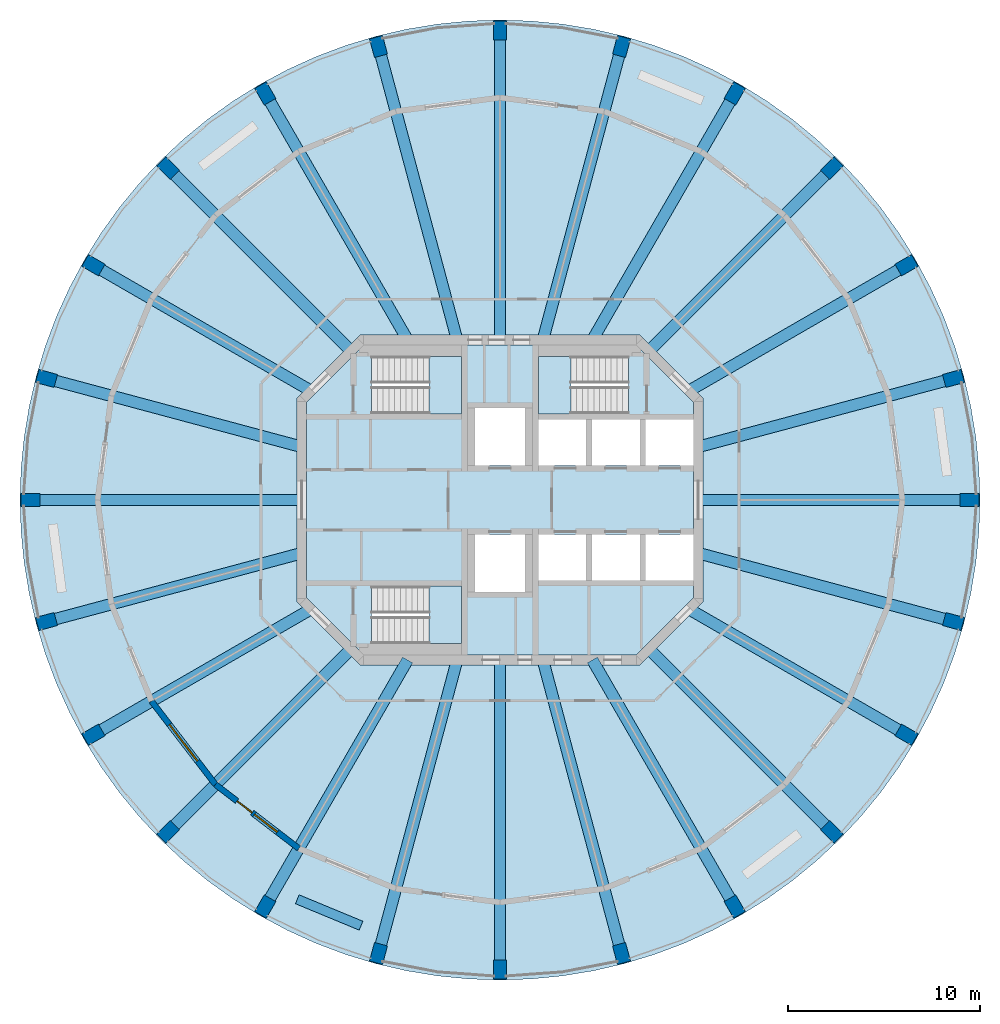
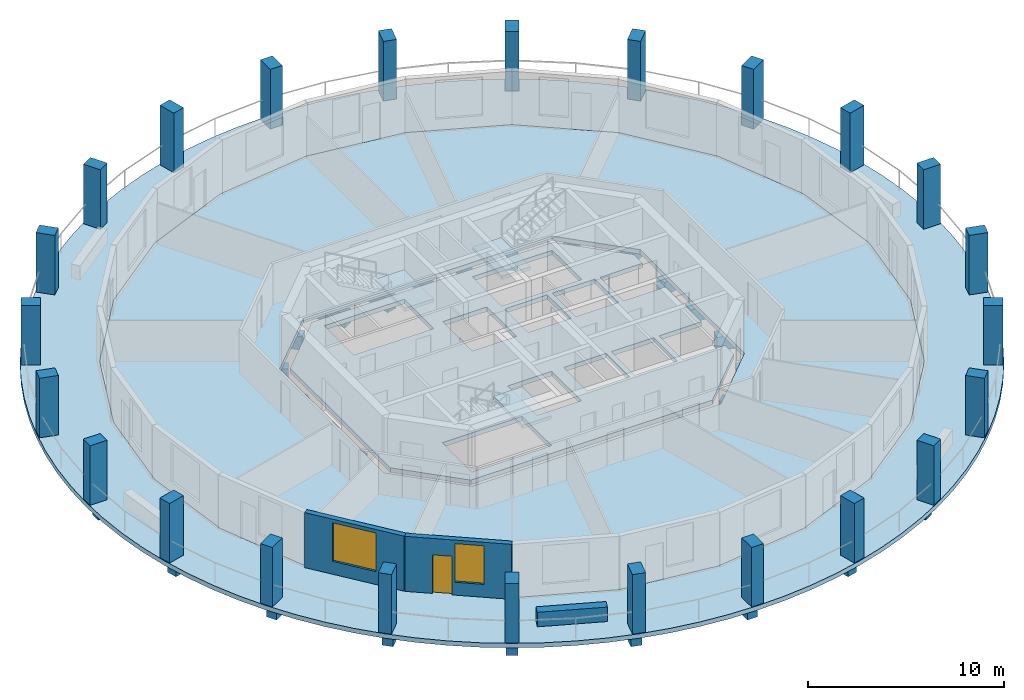
# One storey, part 1 of 8: 24 beams, 24 columns, 6 slabs, 3 walls, 2 windows, 1 door, 3 openings, 3 elements without a shape of their own.
"""IFC4 building model written with IfcOpenShell, lengths in metres."""

from ifc_helpers import new_model, si_unit, direction, frame, frame_2d, origin, origin_2d, place, context, subcontext, project, spatial, polyline, rectangle, outline, extrude, material, layer, layer_set, material_profile, profile_set, type_object, element, fill, aggregate, save


model = new_model("IFC4")

# Units and contexts
model_context = context("Model", 3, precision=1e-05, world=origin(), true_north=direction((0.0, 1.0)))
body_context = subcontext(model_context, "Body", "Model", "MODEL_VIEW")
ifc_project = project(units=[si_unit("LENGTHUNIT", "METRE"), si_unit("AREAUNIT", "SQUARE_METRE"), si_unit("VOLUMEUNIT", "CUBIC_METRE"), si_unit("PLANEANGLEUNIT", "RADIAN"), si_unit("MASSUNIT", "GRAM", prefix="KILO")], contexts=[model_context])

# Site, building, storey
site_placement = place(None, origin())
site = spatial("IfcSite", under=ifc_project, at=site_placement, CompositionType="ELEMENT")
building_placement = place(site_placement, origin())
building = spatial("IfcBuilding", under=site, at=building_placement, Name="Torre Triforio", CompositionType="ELEMENT")
storey_placement = place(building_placement, frame((0.0, 0.0, 253.800048828125)))
storey = spatial("IfcBuildingStorey", under=building, at=storey_placement, Name="L58", CompositionType="ELEMENT", Elevation=253.800048828125)

# Columns
ifc_material_1 = material(Name="Concrete C40", Category="concrete")
ifc_material_profile_1 = material_profile(ifc_material_1, rectangle(XDim=0.699951171875, YDim=1.0, at=origin_2d()), Name="RC 700x1000")
ifc_profile_set_1 = profile_set([ifc_material_profile_1], Name="Concrete C40")
column_type = type_object("IfcColumnType", Name="Pier RC 700x1000 C40", PredefinedType="COLUMN", material=ifc_profile_set_1)
for number, where, z_axis, x_axis, name in (
    (1, (24.5, 0.0, 0.0), (0.0, 0.0, 1.0), (0.0, 1.0, 0.0), "COL.R.L58.00"),
    (2, (23.665283203125, 6.341064453125, 0.0), (0.0, 0.0, 1.0), (-0.258819045103, 0.965925826289, 0.0), "COL.R.L58.01"),
    (3, (21.217529296875, 12.25, 0.0), (0.0, 0.0, 1.0), (-0.5, 0.866025403784, 0.0), "COL.R.L58.02"),
    (4, (17.32421875, 17.32421875, 0.0), (0.0, 0.0, 1.0), (-0.707106781187, 0.707106781187, 0.0), "COL.R.L58.03"),
    (5, (12.25, 21.217529296875, 0.0), (0.0, 0.0, 1.0), (-0.866025403784, 0.5, 0.0), "COL.R.L58.04"),
    (6, (6.341064453125, 23.665283203125, 0.0), (0.0, 0.0, 1.0), (-0.965925826289, 0.258819045103, 0.0), "COL.R.L58.05"),
    (7, (0.0, 24.5, 0.0), (0.0, 0.0, 1.0), (-1.0, 0.0, 0.0), "COL.R.L58.06"),
    (8, (-6.341064453125, 23.665283203125, 0.0), (0.0, 0.0, 1.0), (-0.965925826289, -0.258819045103, 0.0), "COL.R.L58.07"),
    (9, (-12.25, 21.217529296875, 0.0), (0.0, 0.0, 1.0), (-0.866025403784, -0.5, 0.0), "COL.R.L58.08"),
    (10, (-17.32421875, 17.32421875, 0.0), (0.0, 0.0, 1.0), (-0.707106781187, -0.707106781187, 0.0), "COL.R.L58.09"),
    (11, (-21.217529296875, 12.25, 0.0), (0.0, 0.0, 1.0), (-0.5, -0.866025403784, 0.0), "COL.R.L58.10"),
    (12, (-23.665283203125, 6.341064453125, 0.0), (0.0, 0.0, 1.0), (-0.258819045103, -0.965925826289, 0.0), "COL.R.L58.11"),
    (13, (-24.5, 0.0, 0.0), (0.0, 0.0, 1.0), (0.0, -1.0, 0.0), "COL.R.L58.12"),
    (14, (-23.665283203125, -6.341064453125, 0.0), (0.0, 0.0, 1.0), (0.258819045103, -0.965925826289, 0.0), "COL.R.L58.13"),
    (15, (-21.217529296875, -12.25, 0.0), (0.0, 0.0, 1.0), (0.5, -0.866025403784, 0.0), "COL.R.L58.14"),
    (16, (-17.32421875, -17.32421875, 0.0), (0.0, 0.0, 1.0), (0.707106781187, -0.707106781187, 0.0), "COL.R.L58.15"),
    (17, (-12.25, -21.217529296875, 0.0), (0.0, 0.0, 1.0), (0.866025403784, -0.5, 0.0), "COL.R.L58.16"),
    (18, (-6.341064453125, -23.665283203125, 0.0), (0.0, 0.0, 1.0), (0.965925826289, -0.258819045103, 0.0), "COL.R.L58.17"),
    (19, (0.0, -24.5, 0.0), (0.0, 0.0, 1.0), (1.0, 0.0, 0.0), "COL.R.L58.18"),
    (20, (6.341064453125, -23.665283203125, 0.0), (0.0, 0.0, 1.0), (0.965925826289, 0.258819045103, 0.0), "COL.R.L58.19"),
    (21, (12.25, -21.217529296875, 0.0), (0.0, 0.0, 1.0), (0.866025403784, 0.5, 0.0), "COL.R.L58.20"),
    (22, (17.32421875, -17.32421875, 0.0), (0.0, 0.0, 1.0), (0.707106781187, 0.707106781187, 0.0), "COL.R.L58.21"),
    (23, (21.217529296875, -12.25, 0.0), (0.0, 0.0, 1.0), (0.5, 0.866025403784, 0.0), "COL.R.L58.22"),
    (24, (23.665283203125, -6.341064453125, 0.0), (0.0, 0.0, 1.0), (0.258819045103, 0.965925826289, 0.0), "COL.R.L58.23"),
):
    element("IfcColumn", number, at=place(storey_placement, frame(where, z_axis=z_axis, x_axis=x_axis)), inside=storey, type_object=column_type, Name=name, PredefinedType="COLUMN", context=body_context, shape_type="SweptSolid", body=[
        extrude(rectangle(XDim=0.699951171875, YDim=1.0, at=origin_2d()), origin(), (0.0, 0.0, 1.0), 3.699951171875),
    ])

# Beams
ifc_material_profile_2 = material_profile(ifc_material_1, rectangle(XDim=0.60009765625, YDim=0.85009765625, at=origin_2d()), Name="RC 600x850")
ifc_profile_set_2 = profile_set([ifc_material_profile_2], Name="Concrete C40")
beam_type = type_object("IfcBeamType", Name="Radial beam RC 600x850 C40", PredefinedType="BEAM", material=ifc_profile_set_2)
beam_1_placement = place(storey_placement, frame((10.35009765625, 0.0, -0.705078125), z_axis=(1.0, 0.0, 0.0), x_axis=(0.0, 1.0, 0.0)))
element("IfcBeam", 25, at=beam_1_placement, inside=storey, type_object=beam_type, Name="BM.R.L58.00", PredefinedType="BEAM", context=body_context, shape_type="SweptSolid", body=[
    extrude(rectangle(XDim=0.60009765625, YDim=0.85009765625, at=origin_2d()), origin(), (0.0, 0.0, 1.0), 14.14990234375),
])
beam_2_placement = place(storey_placement, frame((10.35009765625, 2.773193359375, -0.705078125), z_axis=(0.965924413872, 0.258824316257, 0.0), x_axis=(-0.258824316257, 0.965924413872, 0.0)))
element("IfcBeam", 26, at=beam_2_placement, inside=storey, type_object=beam_type, Name="BM.R.L58.01", PredefinedType="BEAM", context=body_context, shape_type="SweptSolid", body=[
    extrude(rectangle(XDim=0.60009765625, YDim=0.85009765625, at=origin_2d()), origin(), (0.0, 0.0, 1.0), 13.784912109375),
])
beam_3_placement = place(storey_placement, frame((9.860595703125, 5.693115234375, -0.705078125), z_axis=(0.866026853401, 0.499997489182, 0.0), x_axis=(-0.499997489182, 0.866026853401, 0.0)))
element("IfcBeam", 27, at=beam_3_placement, inside=storey, type_object=beam_type, Name="BM.R.L58.02", PredefinedType="BEAM", context=body_context, shape_type="SweptSolid", body=[
    extrude(rectangle(XDim=0.60009765625, YDim=0.85009765625, at=origin_2d()), origin(), (0.0, 0.0, 1.0), 13.11376953125),
])
beam_4_placement = place(storey_placement, frame((7.77685546875, 7.77685546875, -0.705078125), z_axis=(0.707106781187, 0.707106781187, 0.0), x_axis=(-0.707106781187, 0.707106781187, 0.0)))
element("IfcBeam", 28, at=beam_4_placement, inside=storey, type_object=beam_type, Name="BM.R.L58.03", PredefinedType="BEAM", context=body_context, shape_type="SweptSolid", body=[
    extrude(rectangle(XDim=0.60009765625, YDim=0.85009765625, at=origin_2d()), origin(), (0.0, 0.0, 1.0), 13.501953125),
])
beam_5_placement = place(storey_placement, frame((4.82080078125, 8.35009765625, -0.705078125), z_axis=(0.50000929273, 0.866020038558, 0.0), x_axis=(-0.866020038558, 0.50000929273, 0.0)))
element("IfcBeam", 29, at=beam_5_placement, inside=storey, type_object=beam_type, Name="BM.R.L58.04", PredefinedType="BEAM", context=body_context, shape_type="SweptSolid", body=[
    extrude(rectangle(XDim=0.60009765625, YDim=0.85009765625, at=origin_2d()), origin(), (0.0, 0.0, 1.0), 14.858154296875),
])
beam_6_placement = place(storey_placement, frame((2.2373046875, 8.35009765625, -0.705078125), z_axis=(0.258823056343, 0.965924751471, 0.0), x_axis=(-0.965924751471, 0.258823056343, 0.0)))
element("IfcBeam", 30, at=beam_6_placement, inside=storey, type_object=beam_type, Name="BM.R.L58.05", PredefinedType="BEAM", context=body_context, shape_type="SweptSolid", body=[
    extrude(rectangle(XDim=0.60009765625, YDim=0.85009765625, at=origin_2d()), origin(), (0.0, 0.0, 1.0), 15.85546875),
])
beam_7_placement = place(storey_placement, frame((0.0, 8.35009765625, -0.705078125), z_axis=(0.0, 1.0, 0.0), x_axis=(-1.0, 0.0, 0.0)))
element("IfcBeam", 31, at=beam_7_placement, inside=storey, type_object=beam_type, Name="BM.R.L58.06", PredefinedType="BEAM", context=body_context, shape_type="SweptSolid", body=[
    extrude(rectangle(XDim=0.60009765625, YDim=0.85009765625, at=origin_2d()), origin(), (0.0, 0.0, 1.0), 16.14990234375),
])
beam_8_placement = place(storey_placement, frame((-2.2373046875, 8.35009765625, -0.705078125), z_axis=(-0.258823056343, 0.965924751471, 0.0), x_axis=(-0.965924751471, -0.258823056343, 0.0)))
element("IfcBeam", 32, at=beam_8_placement, inside=storey, type_object=beam_type, Name="BM.R.L58.07", PredefinedType="BEAM", context=body_context, shape_type="SweptSolid", body=[
    extrude(rectangle(XDim=0.60009765625, YDim=0.85009765625, at=origin_2d()), origin(), (0.0, 0.0, 1.0), 15.85546875),
])
beam_9_placement = place(storey_placement, frame((-4.82080078125, 8.35009765625, -0.705078125), z_axis=(-0.50000929273, 0.866020038558, 0.0), x_axis=(-0.866020038558, -0.50000929273, 0.0)))
element("IfcBeam", 33, at=beam_9_placement, inside=storey, type_object=beam_type, Name="BM.R.L58.08", PredefinedType="BEAM", context=body_context, shape_type="SweptSolid", body=[
    extrude(rectangle(XDim=0.60009765625, YDim=0.85009765625, at=origin_2d()), origin(), (0.0, 0.0, 1.0), 14.858154296875),
])
beam_10_placement = place(storey_placement, frame((-7.77685546875, 7.77685546875, -0.705078125), z_axis=(-0.707106781187, 0.707106781187, 0.0), x_axis=(-0.707106781187, -0.707106781187, 0.0)))
element("IfcBeam", 34, at=beam_10_placement, inside=storey, type_object=beam_type, Name="BM.R.L58.09", PredefinedType="BEAM", context=body_context, shape_type="SweptSolid", body=[
    extrude(rectangle(XDim=0.60009765625, YDim=0.85009765625, at=origin_2d()), origin(), (0.0, 0.0, 1.0), 13.501953125),
])
beam_11_placement = place(storey_placement, frame((-9.860595703125, 5.693115234375, -0.705078125), z_axis=(-0.866026853401, 0.499997489182, 0.0), x_axis=(-0.499997489182, -0.866026853401, 0.0)))
element("IfcBeam", 35, at=beam_11_placement, inside=storey, type_object=beam_type, Name="BM.R.L58.10", PredefinedType="BEAM", context=body_context, shape_type="SweptSolid", body=[
    extrude(rectangle(XDim=0.60009765625, YDim=0.85009765625, at=origin_2d()), origin(), (0.0, 0.0, 1.0), 13.11376953125),
])
beam_12_placement = place(storey_placement, frame((-10.35009765625, 2.773193359375, -0.705078125), z_axis=(-0.965924413872, 0.258824316257, 0.0), x_axis=(-0.258824316257, -0.965924413872, 0.0)))
element("IfcBeam", 36, at=beam_12_placement, inside=storey, type_object=beam_type, Name="BM.R.L58.11", PredefinedType="BEAM", context=body_context, shape_type="SweptSolid", body=[
    extrude(rectangle(XDim=0.60009765625, YDim=0.85009765625, at=origin_2d()), origin(), (0.0, 0.0, 1.0), 13.784912109375),
])
beam_13_placement = place(storey_placement, frame((-10.35009765625, 0.0, -0.705078125), z_axis=(-1.0, 0.0, 0.0), x_axis=(0.0, -1.0, 0.0)))
element("IfcBeam", 37, at=beam_13_placement, inside=storey, type_object=beam_type, Name="BM.R.L58.12", PredefinedType="BEAM", context=body_context, shape_type="SweptSolid", body=[
    extrude(rectangle(XDim=0.60009765625, YDim=0.85009765625, at=origin_2d()), origin(), (0.0, 0.0, 1.0), 14.14990234375),
])
beam_14_placement = place(storey_placement, frame((-10.35009765625, -2.773193359375, -0.705078125), z_axis=(-0.965924413872, -0.258824316257, 0.0), x_axis=(0.258824316257, -0.965924413872, 0.0)))
element("IfcBeam", 38, at=beam_14_placement, inside=storey, type_object=beam_type, Name="BM.R.L58.13", PredefinedType="BEAM", context=body_context, shape_type="SweptSolid", body=[
    extrude(rectangle(XDim=0.60009765625, YDim=0.85009765625, at=origin_2d()), origin(), (0.0, 0.0, 1.0), 13.784912109375),
])
beam_15_placement = place(storey_placement, frame((-9.860595703125, -5.693115234375, -0.705078125), z_axis=(-0.866026853401, -0.499997489182, 0.0), x_axis=(0.499997489182, -0.866026853401, 0.0)))
element("IfcBeam", 39, at=beam_15_placement, inside=storey, type_object=beam_type, Name="BM.R.L58.14", PredefinedType="BEAM", context=body_context, shape_type="SweptSolid", body=[
    extrude(rectangle(XDim=0.60009765625, YDim=0.85009765625, at=origin_2d()), origin(), (0.0, 0.0, 1.0), 13.11376953125),
])
beam_16_placement = place(storey_placement, frame((-7.77685546875, -7.77685546875, -0.705078125), z_axis=(-0.707106781187, -0.707106781187, 0.0), x_axis=(0.707106781187, -0.707106781187, 0.0)))
element("IfcBeam", 40, at=beam_16_placement, inside=storey, type_object=beam_type, Name="BM.R.L58.15", PredefinedType="BEAM", context=body_context, shape_type="SweptSolid", body=[
    extrude(rectangle(XDim=0.60009765625, YDim=0.85009765625, at=origin_2d()), origin(), (0.0, 0.0, 1.0), 13.501953125),
])
beam_17_placement = place(storey_placement, frame((-4.82080078125, -8.35009765625, -0.705078125), z_axis=(-0.50000929273, -0.866020038558, 0.0), x_axis=(0.866020038558, -0.50000929273, 0.0)))
element("IfcBeam", 41, at=beam_17_placement, inside=storey, type_object=beam_type, Name="BM.R.L58.16", PredefinedType="BEAM", context=body_context, shape_type="SweptSolid", body=[
    extrude(rectangle(XDim=0.60009765625, YDim=0.85009765625, at=origin_2d()), origin(), (0.0, 0.0, 1.0), 14.858154296875),
])
beam_18_placement = place(storey_placement, frame((-2.2373046875, -8.35009765625, -0.705078125), z_axis=(-0.258823056343, -0.965924751471, 0.0), x_axis=(0.965924751471, -0.258823056343, 0.0)))
element("IfcBeam", 42, at=beam_18_placement, inside=storey, type_object=beam_type, Name="BM.R.L58.17", PredefinedType="BEAM", context=body_context, shape_type="SweptSolid", body=[
    extrude(rectangle(XDim=0.60009765625, YDim=0.85009765625, at=origin_2d()), origin(), (0.0, 0.0, 1.0), 15.85546875),
])
beam_19_placement = place(storey_placement, frame((0.0, -8.35009765625, -0.705078125), z_axis=(0.0, -1.0, 0.0), x_axis=(1.0, 0.0, 0.0)))
element("IfcBeam", 43, at=beam_19_placement, inside=storey, type_object=beam_type, Name="BM.R.L58.18", PredefinedType="BEAM", context=body_context, shape_type="SweptSolid", body=[
    extrude(rectangle(XDim=0.60009765625, YDim=0.85009765625, at=origin_2d()), origin(), (0.0, 0.0, 1.0), 16.14990234375),
])
beam_20_placement = place(storey_placement, frame((2.2373046875, -8.35009765625, -0.705078125), z_axis=(0.258823056343, -0.965924751471, 0.0), x_axis=(0.965924751471, 0.258823056343, 0.0)))
element("IfcBeam", 44, at=beam_20_placement, inside=storey, type_object=beam_type, Name="BM.R.L58.19", PredefinedType="BEAM", context=body_context, shape_type="SweptSolid", body=[
    extrude(rectangle(XDim=0.60009765625, YDim=0.85009765625, at=origin_2d()), origin(), (0.0, 0.0, 1.0), 15.85546875),
])
beam_21_placement = place(storey_placement, frame((4.82080078125, -8.35009765625, -0.705078125), z_axis=(0.50000929273, -0.866020038558, 0.0), x_axis=(0.866020038558, 0.50000929273, 0.0)))
element("IfcBeam", 45, at=beam_21_placement, inside=storey, type_object=beam_type, Name="BM.R.L58.20", PredefinedType="BEAM", context=body_context, shape_type="SweptSolid", body=[
    extrude(rectangle(XDim=0.60009765625, YDim=0.85009765625, at=origin_2d()), origin(), (0.0, 0.0, 1.0), 14.858154296875),
])
beam_22_placement = place(storey_placement, frame((7.77685546875, -7.77685546875, -0.705078125), z_axis=(0.707106781187, -0.707106781187, 0.0), x_axis=(0.707106781187, 0.707106781187, 0.0)))
element("IfcBeam", 46, at=beam_22_placement, inside=storey, type_object=beam_type, Name="BM.R.L58.21", PredefinedType="BEAM", context=body_context, shape_type="SweptSolid", body=[
    extrude(rectangle(XDim=0.60009765625, YDim=0.85009765625, at=origin_2d()), origin(), (0.0, 0.0, 1.0), 13.501953125),
])
beam_23_placement = place(storey_placement, frame((9.860595703125, -5.693115234375, -0.705078125), z_axis=(0.866026853401, -0.499997489182, 0.0), x_axis=(0.499997489182, 0.866026853401, 0.0)))
element("IfcBeam", 47, at=beam_23_placement, inside=storey, type_object=beam_type, Name="BM.R.L58.22", PredefinedType="BEAM", context=body_context, shape_type="SweptSolid", body=[
    extrude(rectangle(XDim=0.60009765625, YDim=0.85009765625, at=origin_2d()), origin(), (0.0, 0.0, 1.0), 13.11376953125),
])
beam_24_placement = place(storey_placement, frame((10.35009765625, -2.773193359375, -0.705078125), z_axis=(0.965924413872, -0.258824316257, 0.0), x_axis=(0.258824316257, 0.965924413872, 0.0)))
element("IfcBeam", 48, at=beam_24_placement, inside=storey, type_object=beam_type, Name="BM.R.L58.23", PredefinedType="BEAM", context=body_context, shape_type="SweptSolid", body=[
    extrude(rectangle(XDim=0.60009765625, YDim=0.85009765625, at=origin_2d()), origin(), (0.0, 0.0, 1.0), 13.784912109375),
])

# Slabs
ifc_layer_1 = layer(ifc_material_1, 0.280029296875)
ifc_layer_set_1 = layer_set([ifc_layer_1], Name="Concrete C40")
slab_type_1 = type_object("IfcSlabType", Name="Core floor slab 280 mm C40 REI 120", PredefinedType="FLOOR", material=ifc_layer_set_1)
slab_1_placement = place(storey_placement, frame((0.0, 0.0, -0.280029296875)))
element("IfcSlab", 49, at=slab_1_placement, inside=storey, type_object=slab_type_1, Name="Core floor slab", PredefinedType="FLOOR", context=body_context, shape_type="SweptSolid", body=[
    extrude(outline(polyline([(10.10009765625, -5.10009765625), (7.10009765625, -8.10009765625), (-7.10009765625, -8.10009765625), (-10.10009765625, -5.10009765625), (-10.10009765625, 5.10009765625), (-7.10009765625, 8.10009765625), (7.10009765625, 8.10009765625), (10.10009765625, 5.10009765625), (10.10009765625, 4.199951171875), (7.60009765625, 4.199951171875), (7.60009765625, 1.800048828125), (10.10009765625, 1.800048828125), (10.10009765625, -1.800048828125), (7.60009765625, -1.800048828125), (7.60009765625, -4.199951171875), (10.10009765625, -4.199951171875), (10.10009765625, -5.10009765625)]), holes=[polyline([(-6.696044921875, -4.5), (-6.696044921875, -7.5), (-2.0, -7.5), (-2.0, -4.5), (-6.696044921875, -4.5)]), polyline([(-1.300048828125, -1.800048828125), (-1.300048828125, -4.800048828125), (1.300048828125, -4.800048828125), (1.300048828125, -1.800048828125), (-1.300048828125, -1.800048828125)]), polyline([(2.0, -1.800048828125), (2.0, -4.199951171875), (4.5, -4.199951171875), (4.5, -1.800048828125), (2.0, -1.800048828125)]), polyline([(4.5, 4.199951171875), (2.0, 4.199951171875), (2.0, 1.800048828125), (4.5, 1.800048828125), (4.5, 4.199951171875)]), polyline([(1.300048828125, 4.800048828125), (-1.300048828125, 4.800048828125), (-1.300048828125, 1.800048828125), (1.300048828125, 1.800048828125), (1.300048828125, 4.800048828125)]), polyline([(-6.696044921875, 7.5), (-6.696044921875, 4.5), (-2.0, 4.5), (-2.0, 7.5), (-6.696044921875, 7.5)]), polyline([(7.300048828125, -1.800048828125), (4.800048828125, -1.800048828125), (4.800048828125, -4.199951171875), (7.300048828125, -4.199951171875), (7.300048828125, -1.800048828125)]), polyline([(4.800048828125, 4.199951171875), (4.800048828125, 1.800048828125), (7.300048828125, 1.800048828125), (7.300048828125, 4.199951171875), (4.800048828125, 4.199951171875)]), polyline([(6.696044921875, 7.5), (2.0, 7.5), (2.0, 4.5), (6.696044921875, 4.5), (6.696044921875, 7.5)])]), origin(), (0.0, 0.0, 1.0), 0.280029296875),
])
ifc_layer_2 = layer(ifc_material_1, 0.280029296875)
ifc_layer_set_2 = layer_set([ifc_layer_2], Name="Concrete C40")
slab_type_2 = type_object("IfcSlabType", Name="Floor slab 280 C40", PredefinedType="FLOOR", material=ifc_layer_set_2)
slab_2_placement = place(storey_placement, frame((0.0, 0.0, -0.280029296875)))
element("IfcSlab", 50, at=slab_2_placement, inside=storey, type_object=slab_type_2, Name="SL.L58", PredefinedType="FLOOR", context=body_context, shape_type="SweptSolid", body=[
    extrude(outline(polyline([(18.1865234375, -10.5), (20.284423828125, -5.435302734375), (21.0, 0.0), (20.284423828125, 5.435302734375), (18.1865234375, 10.5), (14.84912109375, 14.84912109375), (10.5, 18.1865234375), (5.435302734375, 20.284423828125), (0.0, 21.0), (-5.435302734375, 20.284423828125), (-10.5, 18.1865234375), (-14.84912109375, 14.84912109375), (-18.1865234375, 10.5), (-20.284423828125, 5.435302734375), (-21.0, 0.0), (-20.284423828125, -5.435302734375), (-18.1865234375, -10.5), (-14.84912109375, -14.84912109375), (-10.5, -18.1865234375), (-5.435302734375, -20.284423828125), (0.0, -21.0), (5.435302734375, -20.284423828125), (10.5, -18.1865234375), (14.84912109375, -14.84912109375), (18.1865234375, -10.5)]), holes=[polyline([(10.60009765625, 5.30712890625), (10.60009765625, -5.30712890625), (7.30712890625, -8.60009765625), (-7.30712890625, -8.60009765625), (-10.60009765625, -5.30712890625), (-10.60009765625, 5.30712890625), (-7.30712890625, 8.60009765625), (7.30712890625, 8.60009765625), (10.60009765625, 5.30712890625)])]), origin(), (0.0, 0.0, 1.0), 0.280029296875),
])
ifc_layer_3 = layer(ifc_material_1, 0.280029296875)
ifc_layer_set_3 = layer_set([ifc_layer_3], Name="Concrete C40")
slab_type_3 = type_object("IfcSlabType", Name="Loggia slab 280 C40", PredefinedType="FLOOR", material=ifc_layer_set_3)
slab_3_placement = place(storey_placement, frame((0.0, 0.0, -0.280029296875)))
element("IfcSlab", 51, at=slab_3_placement, inside=storey, type_object=slab_type_3, Name="SL.L58.LG", PredefinedType="FLOOR", context=body_context, shape_type="SweptSolid", body=[
    extrude(outline(polyline([(24.996337890625, -1.638427734375), (25.050048828125, 0.0), (24.996337890625, 1.638427734375), (24.835693359375, 3.269775390625), (24.568603515625, 4.886962890625), (24.196533203125, 6.4833984375), (23.720703125, 8.052001953125), (23.14306640625, 9.586181640625), (22.466552734375, 11.079345703125), (21.69384765625, 12.52490234375), (20.828369140625, 13.9169921875), (19.87353515625, 15.24951171875), (18.83349609375, 16.5166015625), (17.713134765625, 17.713134765625), (16.5166015625, 18.83349609375), (15.24951171875, 19.87353515625), (13.9169921875, 20.828369140625), (12.52490234375, 21.69384765625), (11.079345703125, 22.466552734375), (9.586181640625, 23.14306640625), (8.052001953125, 23.720703125), (6.4833984375, 24.196533203125), (4.886962890625, 24.568603515625), (3.269775390625, 24.835693359375), (1.638427734375, 24.996337890625), (0.0, 25.050048828125), (-1.638427734375, 24.996337890625), (-3.269775390625, 24.835693359375), (-4.886962890625, 24.568603515625), (-6.4833984375, 24.196533203125), (-8.052001953125, 23.720703125), (-9.586181640625, 23.14306640625), (-11.079345703125, 22.466552734375), (-12.52490234375, 21.69384765625), (-13.9169921875, 20.828369140625), (-15.24951171875, 19.87353515625), (-16.5166015625, 18.83349609375), (-17.713134765625, 17.713134765625), (-18.83349609375, 16.5166015625), (-19.87353515625, 15.24951171875), (-20.828369140625, 13.9169921875), (-21.69384765625, 12.52490234375), (-22.466552734375, 11.079345703125), (-23.14306640625, 9.586181640625), (-23.720703125, 8.052001953125), (-24.196533203125, 6.4833984375), (-24.568603515625, 4.886962890625), (-24.835693359375, 3.269775390625), (-24.996337890625, 1.638427734375), (-25.050048828125, 0.0), (-24.996337890625, -1.638427734375), (-24.835693359375, -3.269775390625), (-24.568603515625, -4.886962890625), (-24.196533203125, -6.4833984375), (-23.720703125, -8.052001953125), (-23.14306640625, -9.586181640625), (-22.466552734375, -11.079345703125), (-21.69384765625, -12.52490234375), (-20.828369140625, -13.9169921875), (-19.87353515625, -15.24951171875), (-18.83349609375, -16.5166015625), (-17.713134765625, -17.713134765625), (-16.5166015625, -18.83349609375), (-15.24951171875, -19.87353515625), (-13.9169921875, -20.828369140625), (-12.52490234375, -21.69384765625), (-11.079345703125, -22.466552734375), (-9.586181640625, -23.14306640625), (-8.052001953125, -23.720703125), (-6.4833984375, -24.196533203125), (-4.886962890625, -24.568603515625), (-3.269775390625, -24.835693359375), (-1.638427734375, -24.996337890625), (0.0, -25.050048828125), (1.638427734375, -24.996337890625), (3.269775390625, -24.835693359375), (4.886962890625, -24.568603515625), (6.4833984375, -24.196533203125), (8.052001953125, -23.720703125), (9.586181640625, -23.14306640625), (11.079345703125, -22.466552734375), (12.52490234375, -21.69384765625), (13.9169921875, -20.828369140625), (15.24951171875, -19.87353515625), (16.5166015625, -18.83349609375), (17.713134765625, -17.713134765625), (18.83349609375, -16.5166015625), (19.87353515625, -15.24951171875), (20.828369140625, -13.9169921875), (21.69384765625, -12.52490234375), (22.466552734375, -11.079345703125), (23.14306640625, -9.586181640625), (23.720703125, -8.052001953125), (24.196533203125, -6.4833984375), (24.568603515625, -4.886962890625), (24.835693359375, -3.269775390625), (24.996337890625, -1.638427734375)]), holes=[polyline([(20.284423828125, 5.435302734375), (21.0, 0.0), (20.284423828125, -5.435302734375), (18.1865234375, -10.5), (14.84912109375, -14.84912109375), (10.5, -18.1865234375), (5.435302734375, -20.284423828125), (0.0, -21.0), (-5.435302734375, -20.284423828125), (-10.5, -18.1865234375), (-14.84912109375, -14.84912109375), (-18.1865234375, -10.5), (-20.284423828125, -5.435302734375), (-21.0, 0.0), (-20.284423828125, 5.435302734375), (-18.1865234375, 10.5), (-14.84912109375, 14.84912109375), (-10.5, 18.1865234375), (-5.435302734375, 20.284423828125), (0.0, 21.0), (5.435302734375, 20.284423828125), (10.5, 18.1865234375), (14.84912109375, 14.84912109375), (18.1865234375, 10.5), (20.284423828125, 5.435302734375)])]), origin(), (0.0, 0.0, 1.0), 0.280029296875),
])

# Stair, slab
stair_type = type_object("IfcStairType", Name="STAIR HALF-TURN", PredefinedType="HALF_TURN_STAIR", material=ifc_material_1)
stair_1_placement = place(storey_placement, origin())
stair_1 = element("IfcStair", 52, at=stair_1_placement, inside=storey, type_object=stair_type, Name="Exit stair 1", PredefinedType="HALF_TURN_STAIR")
ifc_layer_4 = layer(ifc_material_1, 0.199951171875)
ifc_layer_set_4 = layer_set([ifc_layer_4], Name="Concrete C40")
slab_type_4 = type_object("IfcSlabType", Name="STAIR LANDING 200", PredefinedType="LANDING", material=ifc_layer_set_4)
slab_4_placement = place(storey_placement, frame((0.0, 0.0, 1.64990234375)))
slab_4 = element("IfcSlab", 53, at=slab_4_placement, type_object=slab_type_4, Name="ST1 landing 1", PredefinedType="LANDING", context=body_context, shape_type="SweptSolid", body=[
    extrude(outline(polyline([(-2.0, 4.5), (-2.0, 7.5), (-3.699951171875, 7.5), (-3.699951171875, 4.5), (-2.0, 4.5)])), origin(), (0.0, 0.0, 1.0), 0.199951171875),
])
aggregate(stair_1, [slab_4])

stair_2_placement = place(storey_placement, origin())
stair_2 = element("IfcStair", 54, at=stair_2_placement, inside=storey, type_object=stair_type, Name="Exit stair 2", PredefinedType="HALF_TURN_STAIR")
slab_5_placement = place(storey_placement, frame((0.0, 0.0, 1.64990234375)))
slab_5 = element("IfcSlab", 55, at=slab_5_placement, type_object=slab_type_4, Name="ST2 landing 1", PredefinedType="LANDING", context=body_context, shape_type="SweptSolid", body=[
    extrude(outline(polyline([(3.699951171875, 4.5), (3.699951171875, 7.5), (2.0, 7.5), (2.0, 4.5), (3.699951171875, 4.5)])), origin(), (0.0, 0.0, 1.0), 0.199951171875),
])
aggregate(stair_2, [slab_5])

stair_3_placement = place(storey_placement, origin())
stair_3 = element("IfcStair", 56, at=stair_3_placement, inside=storey, type_object=stair_type, Name="Exit stair 3", PredefinedType="HALF_TURN_STAIR")
slab_6_placement = place(storey_placement, frame((0.0, 0.0, 1.64990234375)))
slab_6 = element("IfcSlab", 57, at=slab_6_placement, type_object=slab_type_4, Name="ST3 landing 1", PredefinedType="LANDING", context=body_context, shape_type="SweptSolid", body=[
    extrude(outline(polyline([(-2.0, -7.5), (-2.0, -4.5), (-3.699951171875, -4.5), (-3.699951171875, -7.5), (-2.0, -7.5)])), origin(), (0.0, 0.0, 1.0), 0.199951171875),
])
aggregate(stair_3, [slab_6])

# Wall
ifc_material_2 = material(Name="Limestone cladding", Category="masonry")
ifc_layer_5 = layer(ifc_material_2, 0.10009765625)
ifc_layer_6 = layer(ifc_material_1, 0.39990234375)
ifc_layer_set_5 = layer_set([ifc_layer_5, ifc_layer_6], Name="Limestone cladding / Concrete C40")
wall_type_1 = type_object("IfcWallType", Name="Planter wall 500", PredefinedType="PARAPET", material=ifc_layer_set_5)
wall_1_placement = place(storey_placement, frame((-10.57958984375, -20.837646484375, 0.0), z_axis=(0.0, 0.0, 1.0), x_axis=(0.923909393783, -0.382611332921, 0.0)))
element("IfcWall", 58, at=wall_1_placement, inside=storey, type_object=wall_type_1, Name="Planter L58 bay 17", PredefinedType="PARAPET", context=body_context, shape_type="SweptSolid", body=[
    extrude(rectangle(XDim=3.60009765625, YDim=0.5, at=frame_2d((1.800048828125, 0.0))), origin(), (0.0, 0.0, 1.0), 0.89990234375),
])

# Wall, opening, window
ifc_layer_7 = layer(ifc_material_2, 0.10009765625)
ifc_layer_8 = layer(ifc_material_1, 0.199951171875)
ifc_layer_set_6 = layer_set([ifc_layer_7, ifc_layer_8], Name="Limestone cladding / Concrete C40")
wall_type_2 = type_object("IfcWallType", Name="Stone-faced composite wall 300", PredefinedType="STANDARD", material=ifc_layer_set_6)
wall_2_placement = place(storey_placement, frame((-18.1865234375, -10.5, 0.0), z_axis=(0.0, 0.0, 1.0), x_axis=(0.608784891166, -0.793335336593, 0.0)))
wall_2 = element("IfcWall", 59, at=wall_2_placement, inside=storey, type_object=wall_type_2, Name="External wall L58 bay 15", PredefinedType="STANDARD", context=body_context, shape_type="SweptSolid", body=[
    extrude(rectangle(XDim=5.482177734375, YDim=0.300048828125, at=frame_2d((2.7412109375, 0.0))), origin(), (0.0, 0.0, 1.0), 3.419921875),
])
opening_1_placement = place(wall_2_placement, frame((1.541015625, 0.0, 0.800048828125)))
opening_1 = element("IfcOpeningElement", 60, at=opening_1_placement, cuts=wall_2, Name="Opening E1-W15", PredefinedType="OPENING", context=body_context, shape_type="SweptSolid", body=[
    extrude(rectangle(XDim=2.39990234375, YDim=2.39990234375, at=frame_2d((1.199951171875, 1.199951171875))), frame((0.0, 0.159912109375, 0.0), z_axis=(0.0, -1.0, 0.0), x_axis=(1.0, 0.0, 0.0)), (0.0, 0.0, 1.0), 0.320068359375),
])
ifc_material_3 = material(Name="Aluminium frame with clear double glazing", Category="aluminium")
window_type_1 = type_object("IfcWindowType", Name="Punched window 2400 x 2400", PartitioningType="DOUBLE_PANEL_VERTICAL", PredefinedType="WINDOW", material=ifc_material_3)
window_1_placement = place(opening_1_placement, origin())
window_1 = element("IfcWindow", 61, at=window_1_placement, inside=storey, type_object=window_type_1, Name="Window EWN4 L58 bay 15", OverallHeight=2.39990234375, OverallWidth=2.39990234375, PartitioningType="SINGLE_PANEL", PredefinedType="WINDOW", context=body_context, shape_type="SweptSolid", body=[
    extrude(rectangle(XDim=2.39990234375, YDim=2.39990234375, at=frame_2d((1.199951171875, 1.199951171875))), frame((0.0, 0.030029296875, 0.0), z_axis=(0.0, -1.0, 0.0), x_axis=(1.0, 0.0, 0.0)), (0.0, 0.0, 1.0), 0.06005859375),
])
fill(opening_1, window_1)

# Wall, openings, door, window
wall_3_placement = place(storey_placement, frame((-14.84912109375, -14.84912109375, 0.0), z_axis=(0.0, 0.0, 1.0), x_axis=(0.793335336593, -0.608784891166, 0.0)))
wall_3 = element("IfcWall", 62, at=wall_3_placement, inside=storey, type_object=wall_type_2, Name="External wall L58 bay 16", PredefinedType="STANDARD", context=body_context, shape_type="SweptSolid", body=[
    extrude(rectangle(XDim=5.482177734375, YDim=0.300048828125, at=frame_2d((2.7412109375, 0.0))), origin(), (0.0, 0.0, 1.0), 3.419921875),
])
opening_2_placement = place(wall_3_placement, frame((1.416015625, 0.0, 0.0)))
opening_2 = element("IfcOpeningElement", 63, at=opening_2_placement, cuts=wall_3, Name="Opening E1-D16", PredefinedType="OPENING", context=body_context, shape_type="SweptSolid", body=[
    extrude(rectangle(XDim=1.0, YDim=2.39990234375, at=frame_2d((0.5, 1.199951171875))), frame((0.0, 0.159912109375, 0.0), z_axis=(0.0, -1.0, 0.0), x_axis=(1.0, 0.0, 0.0)), (0.0, 0.0, 1.0), 0.320068359375),
])
opening_3_placement = place(wall_3_placement, frame((2.56591796875, 0.0, 0.800048828125)))
opening_3 = element("IfcOpeningElement", 64, at=opening_3_placement, cuts=wall_3, Name="Opening E1-W16A", PredefinedType="OPENING", context=body_context, shape_type="SweptSolid", body=[
    extrude(rectangle(XDim=1.5, YDim=2.39990234375, at=frame_2d((0.75, 1.199951171875))), frame((0.0, 0.159912109375, 0.0), z_axis=(0.0, -1.0, 0.0), x_axis=(1.0, 0.0, 0.0)), (0.0, 0.0, 1.0), 0.320068359375),
])
door_type = type_object("IfcDoorType", Name="Loggia door 1000 x 2400", OperationType="NOTDEFINED", PredefinedType="DOOR", material=ifc_material_3)
door_placement = place(opening_2_placement, origin())
door = element("IfcDoor", 65, at=door_placement, inside=storey, type_object=door_type, Name="Loggia door L58 bay 16", OperationType="SINGLE_SWING_LEFT", OverallHeight=2.39990234375, OverallWidth=1.0, PredefinedType="DOOR", context=body_context, shape_type="SweptSolid", body=[
    extrude(rectangle(XDim=1.0, YDim=2.39990234375, at=frame_2d((0.5, 1.199951171875))), frame((0.0, 0.02490234375, 0.0), z_axis=(0.0, -1.0, 0.0), x_axis=(1.0, 0.0, 0.0)), (0.0, 0.0, 1.0), 0.050048828125),
])
fill(opening_2, door)
window_type_2 = type_object("IfcWindowType", Name="Side window 1500 x 2400", PartitioningType="SINGLE_PANEL", PredefinedType="WINDOW", material=ifc_material_3)
window_2_placement = place(opening_3_placement, origin())
window_2 = element("IfcWindow", 66, at=window_2_placement, inside=storey, type_object=window_type_2, Name="Side window EWN14 L58 bay 16", OverallHeight=2.39990234375, OverallWidth=1.5, PartitioningType="SINGLE_PANEL", PredefinedType="WINDOW", context=body_context, shape_type="SweptSolid", body=[
    extrude(rectangle(XDim=1.5, YDim=2.39990234375, at=frame_2d((0.75, 1.199951171875))), frame((0.0, 0.030029296875, 0.0), z_axis=(0.0, -1.0, 0.0), x_axis=(1.0, 0.0, 0.0)), (0.0, 0.0, 1.0), 0.06005859375),
])
fill(opening_3, window_2)

save(model, "model.ifc")
